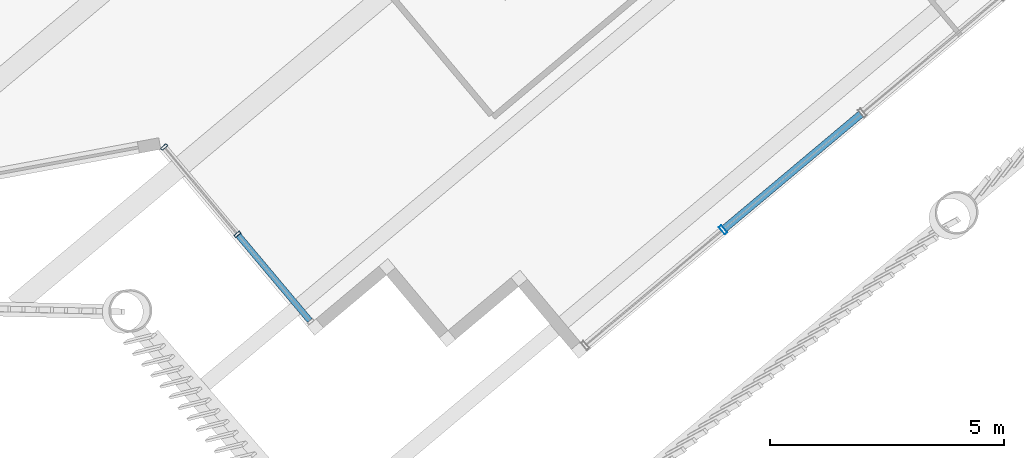
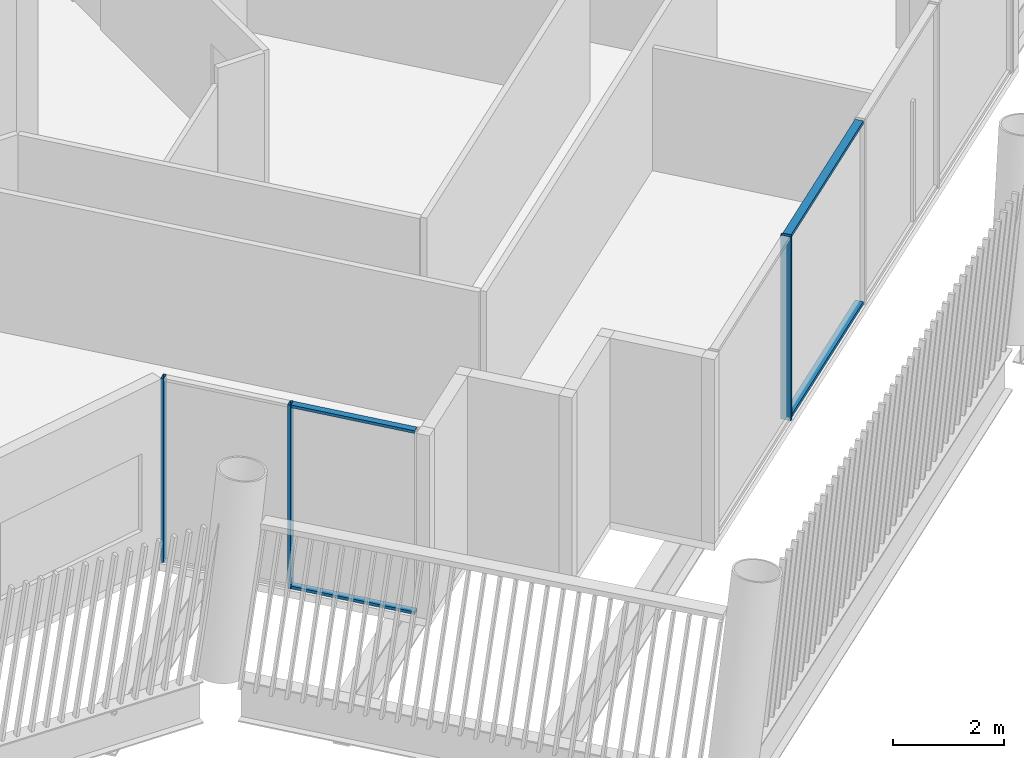
# One storey, part 12 of 31: 7 members, 2 elements without a shape of their own.
"""IFC4 building model written with IfcOpenShell, lengths in metres."""

from ifc_helpers import new_model, si_unit, direction, frame, origin, origin_2d, place, context, subcontext, project, spatial, hollow_rectangle, extrude, material, layer, layer_set, material_profile, profile_set, type_object, element, aggregate, save


model = new_model("IFC4")

# Units and contexts
model_context = context("Model", 3, precision=1e-05, world=origin(), true_north=direction((0.0, 1.0)))
body_context = subcontext(model_context, "Body", "Model", "MODEL_VIEW")
ifc_project = project(units=[si_unit("LENGTHUNIT", "METRE"), si_unit("AREAUNIT", "SQUARE_METRE"), si_unit("VOLUMEUNIT", "CUBIC_METRE"), si_unit("PLANEANGLEUNIT", "RADIAN"), si_unit("MASSUNIT", "GRAM", prefix="KILO")], contexts=[model_context])

# Site, building, storey
site_placement = place(None, origin())
site = spatial("IfcSite", under=ifc_project, at=site_placement, CompositionType="ELEMENT")
building_placement = place(site_placement, origin())
building = spatial("IfcBuilding", under=site, at=building_placement, Name="Tarsis Ring Headquarters", CompositionType="ELEMENT")
storey_placement = place(building_placement, frame((0.0, 0.0, 390.199951171875)))
storey = spatial("IfcBuildingStorey", under=building, at=storey_placement, Name="L92", CompositionType="ELEMENT", Elevation=390.199951171875)

# Curtain wall, member
ifc_material_1 = material(Name="Aluminium curtain wall", Category="aluminium")
ifc_layer_1 = layer(ifc_material_1, 0.199951171875)
ifc_layer_set_1 = layer_set([ifc_layer_1], Name="Curtain wall executive tip")
curtain_wall_type_1 = type_object("IfcCurtainWallType", Name="Curtain wall executive tip", PredefinedType="NOTDEFINED", material=ifc_layer_set_1)
curtain_wall_1_placement = place(storey_placement, origin())
curtain_wall_1 = element("IfcCurtainWall", 1, at=curtain_wall_1_placement, inside=storey, type_object=curtain_wall_type_1, Name="Curtain wall L92-11", PredefinedType="NOTDEFINED")
ifc_material_2 = material(Name="Aluminium mullion", Category="aluminium")
ifc_material_profile_1 = material_profile(ifc_material_2, hollow_rectangle(XDim=0.199951171875, YDim=0.070068359375, WallThickness=0.0048828125, at=origin_2d()), Name="RHS 200x70x5")
ifc_profile_set_1 = profile_set([ifc_material_profile_1], Name="Aluminium mullion")
member_type_1 = type_object("IfcMemberType", Name="Curtain wall mullion executive tip RHS 200x70x5", PredefinedType="MULLION", material=ifc_profile_set_1)
member_1_placement = place(storey_placement, frame((17.5205078125, -26.908447265625, 0.0), z_axis=(0.0, 0.0, 1.0), x_axis=(-0.642787677018, 0.766044386621, 0.0)))
member_1 = element("IfcMember", 2, at=member_1_placement, type_object=member_type_1, Name="CW-E mullion 2", PredefinedType="MULLION", context=body_context, shape_type="SweptSolid", body=[
    extrude(hollow_rectangle(XDim=0.199951171875, YDim=0.070068359375, WallThickness=0.0048828125, at=origin_2d()), origin(), (0.0, 0.0, 1.0), 4.0400390625),
])

# Curtain wall, members
ifc_layer_2 = layer(ifc_material_1, 0.14990234375)
ifc_layer_set_2 = layer_set([ifc_layer_2], Name="Curtain wall tower unit")
curtain_wall_type_2 = type_object("IfcCurtainWallType", Name="Curtain wall tower unit", PredefinedType="NOTDEFINED", material=ifc_layer_set_2)
curtain_wall_2_placement = place(storey_placement, origin())
curtain_wall_2 = element("IfcCurtainWall", 3, at=curtain_wall_2_placement, inside=storey, type_object=curtain_wall_type_2, Name="Curtain wall L92-06", PredefinedType="NOTDEFINED")
ifc_material_profile_2 = material_profile(ifc_material_2, hollow_rectangle(XDim=0.14990234375, YDim=0.06005859375, WallThickness=0.0048828125, at=origin_2d()), Name="RHS 150x60x5")
ifc_profile_set_2 = profile_set([ifc_material_profile_2], Name="Aluminium mullion")
member_type_2 = type_object("IfcMemberType", Name="Curtain wall mullion tower unit RHS 150x60x5", PredefinedType="MULLION", material=ifc_profile_set_2)
member_2_placement = place(storey_placement, frame((5.595947265625, -25.143310546875, 0.0), z_axis=(0.0, 0.0, 1.0), x_axis=(0.766044406097, 0.642787653808, 0.0)))
member_2 = element("IfcMember", 4, at=member_2_placement, type_object=member_type_2, Name="CW-T mullion 1", PredefinedType="MULLION", context=body_context, shape_type="SweptSolid", body=[
    extrude(hollow_rectangle(XDim=0.14990234375, YDim=0.06005859375, WallThickness=0.0048828125, at=origin_2d()), origin(), (0.0, 0.0, 1.0), 4.0400390625),
])
member_3_placement = place(storey_placement, frame((7.15869140625, -27.005615234375, 0.0), z_axis=(0.0, 0.0, 1.0), x_axis=(0.766044406097, 0.642787653808, 0.0)))
member_3 = element("IfcMember", 5, at=member_3_placement, type_object=member_type_2, Name="CW-T mullion 2", PredefinedType="MULLION", context=body_context, shape_type="SweptSolid", body=[
    extrude(hollow_rectangle(XDim=0.14990234375, YDim=0.06005859375, WallThickness=0.0048828125, at=origin_2d()), origin(), (0.0, 0.0, 1.0), 4.0400390625),
])

# Member
ifc_material_3 = material(Name="Aluminium transom", Category="aluminium")
ifc_material_profile_3 = material_profile(ifc_material_3, hollow_rectangle(XDim=0.159912109375, YDim=0.070068359375, WallThickness=0.0048828125, at=origin_2d()), Name="RHS 160x70x5")
ifc_profile_set_3 = profile_set([ifc_material_profile_3], Name="Aluminium transom")
member_type_3 = type_object("IfcMemberType", Name="Curtain wall transom executive tip RHS 160x70x5", PredefinedType="USERDEFINED", material=ifc_profile_set_3)
member_4_placement = place(storey_placement, frame((17.54736328125, -26.885986328125, 0.03515625), z_axis=(0.766044774752, 0.642787214462, 0.0), x_axis=(-0.642787214462, 0.766044774752, 0.0)))
member_4 = element("IfcMember", 6, at=member_4_placement, type_object=member_type_3, Name="CW-E transom 2.1", ObjectType="TRANSOM", PredefinedType="USERDEFINED", context=body_context, shape_type="SweptSolid", body=[
    extrude(hollow_rectangle(XDim=0.159912109375, YDim=0.070068359375, WallThickness=0.0048828125, at=origin_2d()), origin(), (0.0, 0.0, 1.0), 3.804931640625),
])

member_5_placement = place(storey_placement, frame((17.54736328125, -26.885986328125, 4.005126953125), z_axis=(0.766044774752, 0.642787214462, 0.0), x_axis=(-0.642787214462, 0.766044774752, 0.0)))
member_5 = element("IfcMember", 7, at=member_5_placement, type_object=member_type_3, Name="CW-E transom 2.2", ObjectType="TRANSOM", PredefinedType="USERDEFINED", context=body_context, shape_type="SweptSolid", body=[
    extrude(hollow_rectangle(XDim=0.159912109375, YDim=0.070068359375, WallThickness=0.0048828125, at=origin_2d()), origin(), (0.0, 0.0, 1.0), 3.804931640625),
])

aggregate(curtain_wall_1, [member_1, member_4, member_5])

ifc_material_profile_4 = material_profile(ifc_material_3, hollow_rectangle(XDim=0.1298828125, YDim=0.06005859375, WallThickness=0.0048828125, at=origin_2d()), Name="RHS 130x60x5")
ifc_profile_set_4 = profile_set([ifc_material_profile_4], Name="Aluminium transom")
member_type_4 = type_object("IfcMemberType", Name="Curtain wall transom tower unit RHS 130x60x5", PredefinedType="USERDEFINED", material=ifc_profile_set_4)
member_6_placement = place(storey_placement, frame((7.177978515625, -27.028564453125, 0.030029296875), z_axis=(0.642733149895, -0.766090137011, 0.0), x_axis=(0.766090137011, 0.642733149895, 0.0)))
member_6 = element("IfcMember", 8, at=member_6_placement, type_object=member_type_4, Name="CW-T transom 2.1", ObjectType="TRANSOM", PredefinedType="USERDEFINED", context=body_context, shape_type="SweptSolid", body=[
    extrude(hollow_rectangle(XDim=0.1298828125, YDim=0.06005859375, WallThickness=0.0048828125, at=origin_2d()), origin(), (0.0, 0.0, 1.0), 2.37109375),
])

member_7_placement = place(storey_placement, frame((7.177978515625, -27.028564453125, 4.010009765625), z_axis=(0.642733149895, -0.766090137011, 0.0), x_axis=(0.766090137011, 0.642733149895, 0.0)))
member_7 = element("IfcMember", 9, at=member_7_placement, type_object=member_type_4, Name="CW-T transom 2.2", ObjectType="TRANSOM", PredefinedType="USERDEFINED", context=body_context, shape_type="SweptSolid", body=[
    extrude(hollow_rectangle(XDim=0.1298828125, YDim=0.06005859375, WallThickness=0.0048828125, at=origin_2d()), origin(), (0.0, 0.0, 1.0), 2.37109375),
])

aggregate(curtain_wall_2, [member_2, member_3, member_6, member_7])

save(model, "model.ifc")
